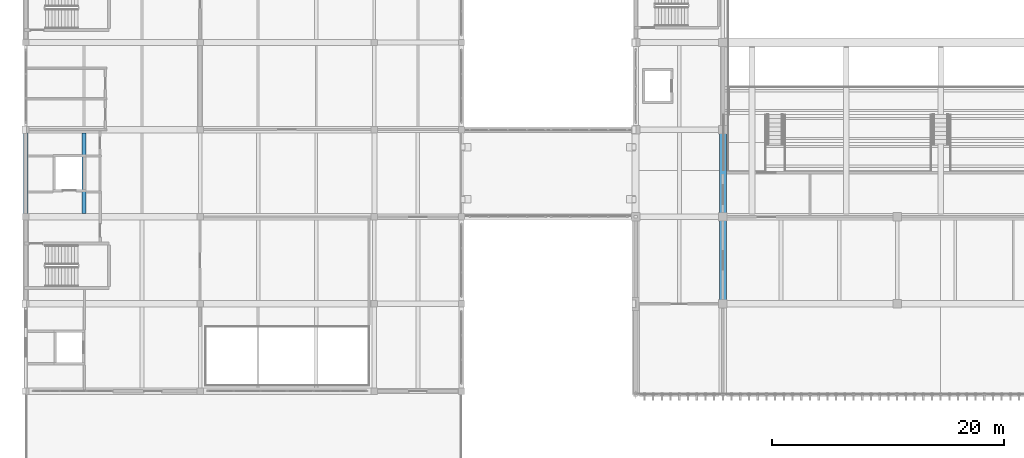
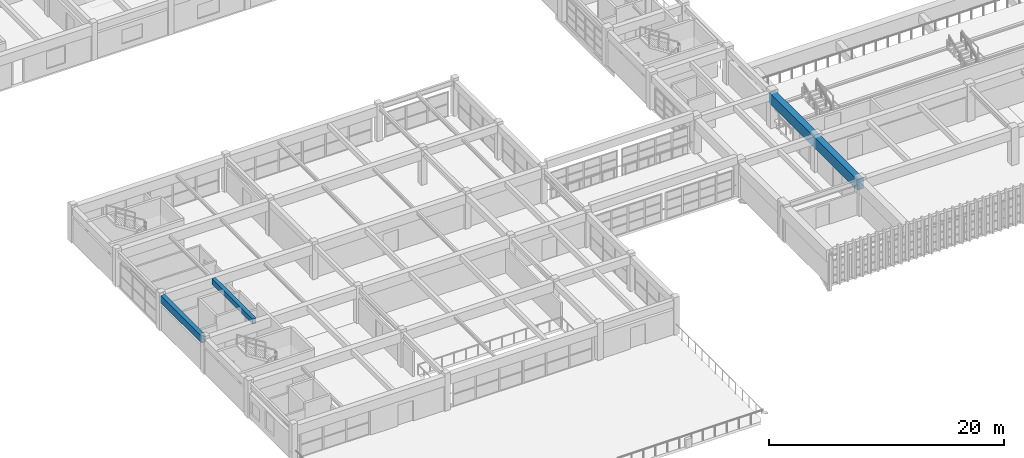
# One storey, part 19 of 101: 3 beams.
"""IFC4 building model written with IfcOpenShell, lengths in metres."""

from ifc_helpers import new_model, si_unit, direction, frame, origin, origin_2d, place, context, subcontext, project, spatial, rectangle, extrude, material, material_profile, profile_set, type_object, element, save


model = new_model("IFC4")

# Units and contexts
model_context = context("Model", 3, precision=1e-05, world=origin(), true_north=direction((0.0, 1.0)))
body_context = subcontext(model_context, "Body", "Model", "MODEL_VIEW")
ifc_project = project(units=[si_unit("LENGTHUNIT", "METRE"), si_unit("AREAUNIT", "SQUARE_METRE"), si_unit("VOLUMEUNIT", "CUBIC_METRE"), si_unit("PLANEANGLEUNIT", "RADIAN"), si_unit("MASSUNIT", "GRAM", prefix="KILO")], contexts=[model_context])

# Site, building, storey
site_placement = place(None, origin())
site = spatial("IfcSite", under=ifc_project, at=site_placement, CompositionType="ELEMENT")
building_placement = place(site_placement, origin())
building = spatial("IfcBuilding", under=site, at=building_placement, Name="Qasida Concert Hall", CompositionType="ELEMENT")
storey_placement = place(building_placement, frame((0.0, 0.0, 13.199951171875)))
storey = spatial("IfcBuildingStorey", under=building, at=storey_placement, Name="L03", CompositionType="ELEMENT", Elevation=13.199951171875)

# Beams
ifc_material_1 = material(Name="Concrete C50/60", Category="concrete")
ifc_material_profile_1 = material_profile(ifc_material_1, rectangle(XDim=0.60009765625, YDim=1.10009765625, at=origin_2d()), Name="RC 600x1100")
ifc_profile_set_1 = profile_set([ifc_material_profile_1], Name="Concrete C50/60")
beam_type_1 = type_object("IfcBeamType", Name="BM-G4", PredefinedType="USERDEFINED", material=ifc_profile_set_1)
beam_1_placement = place(storey_placement, frame((60.0, 22.5, 3.02001953125), z_axis=(0.0, 1.0, 0.0), x_axis=(-1.0, 0.0, 0.0)))
element("IfcBeam", 1, at=beam_1_placement, inside=storey, type_object=beam_type_1, Name="Cantilever backspan girder CGB-016", ObjectType="GIRDER", PredefinedType="USERDEFINED", context=body_context, shape_type="SweptSolid", body=[
    extrude(rectangle(XDim=0.60009765625, YDim=1.10009765625, at=origin_2d()), origin(), (0.0, 0.0, 1.0), 15.0),
])
ifc_material_2 = material(Name="Concrete C40/50", Category="concrete")
ifc_material_profile_2 = material_profile(ifc_material_2, rectangle(XDim=0.35009765625, YDim=0.550048828125, at=origin_2d()), Name="RC 350x550")
ifc_profile_set_2 = profile_set([ifc_material_profile_2], Name="Concrete C40/50")
beam_type_2 = type_object("IfcBeamType", Name="BM-J8", PredefinedType="JOIST", material=ifc_profile_set_2)
beam_2_placement = place(storey_placement, frame((5.0, 30.27490234375, 3.344970703125), z_axis=(0.0, 1.0, 0.0), x_axis=(-1.0, 0.0, 0.0)))
element("IfcBeam", 2, at=beam_2_placement, inside=storey, type_object=beam_type_2, Name="L03 secondary joist 1639", PredefinedType="JOIST", context=body_context, shape_type="SweptSolid", body=[
    extrude(rectangle(XDim=0.35009765625, YDim=0.550048828125, at=origin_2d()), origin(), (0.0, 0.0, 1.0), 6.9501953125),
])
ifc_material_profile_3 = material_profile(ifc_material_2, rectangle(XDim=0.39990234375, YDim=0.75, at=origin_2d()), Name="RC 400x750")
ifc_profile_set_3 = profile_set([ifc_material_profile_3], Name="Concrete C40/50")
beam_type_3 = type_object("IfcBeamType", Name="BM-SP1", PredefinedType="SPANDREL", material=ifc_profile_set_3)
beam_3_placement = place(storey_placement, frame((0.0, 30.27490234375, 3.2451171875), z_axis=(0.0, 1.0, 0.0), x_axis=(-1.0, 0.0, 0.0)))
element("IfcBeam", 3, at=beam_3_placement, inside=storey, type_object=beam_type_3, Name="L03 girder 1618", PredefinedType="SPANDREL", context=body_context, shape_type="SweptSolid", body=[
    extrude(rectangle(XDim=0.39990234375, YDim=0.75, at=origin_2d()), origin(), (0.0, 0.0, 1.0), 6.9501953125),
])

save(model, "model.ifc")
